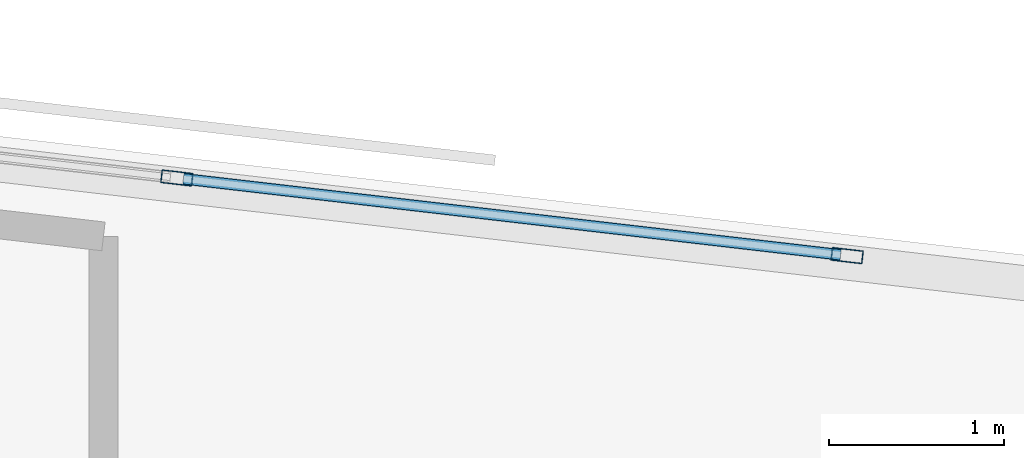
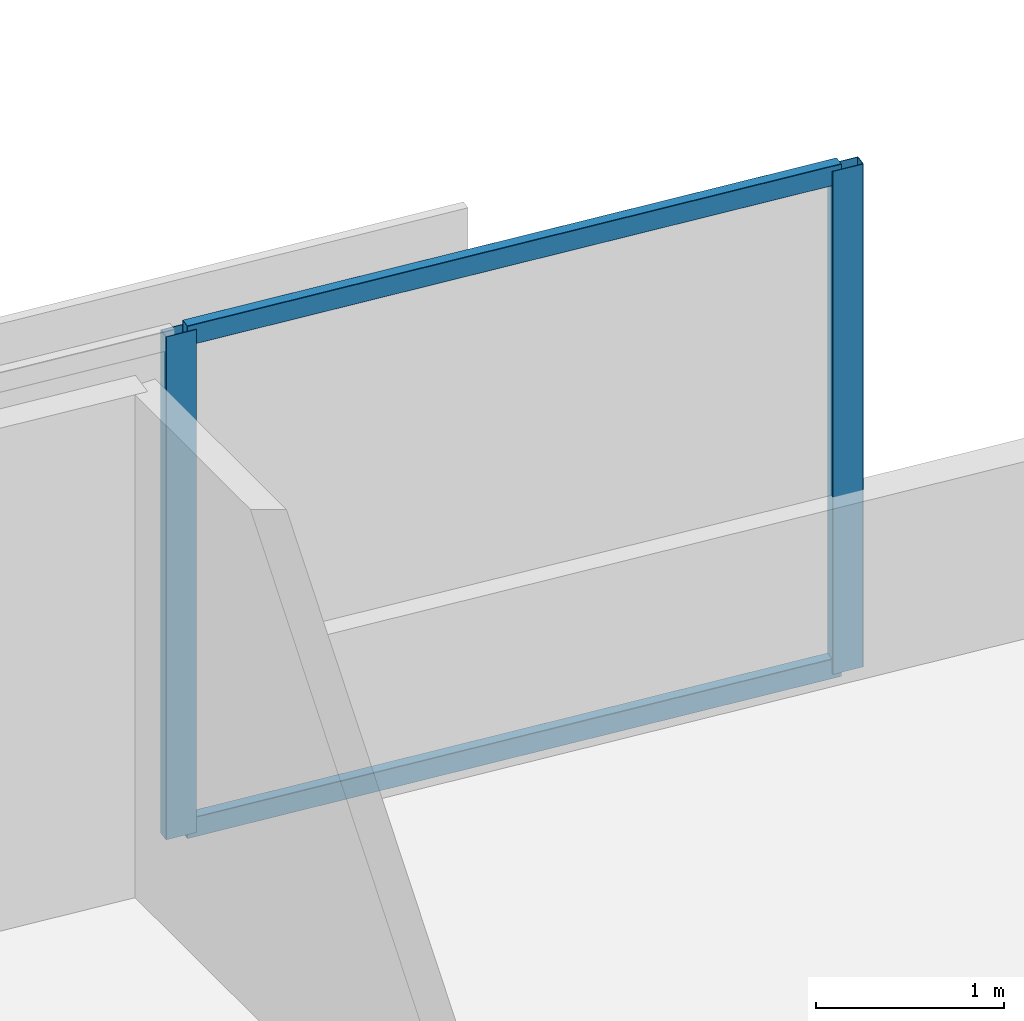
# One storey, part 2 of 14: 4 members, 1 element without a shape of its own.
"""IFC4 building model written with IfcOpenShell, lengths in metres."""

import ifcopenshell
import ifcopenshell.guid

model = None  # the IFC model being written
_history = None  # IfcOwnerHistory: only IFC2X3 demands one
_inside = {}  # id of a spatial element -> (the spatial element, [elements in it])
_under = {}  # id of a project, library or spatial element -> (it, [spatial elements below it])
_declared = {}  # id of a project -> (the project, [libraries it declares])
_typed = {}  # id of a type object -> (the type object, [elements of that type])
_made_of = {}  # id of a material, layer set ... -> (it, [elements and type objects made of it])


def new_model(schema):
    """Start an empty IFC model of exactly this schema.

    Asked for "IFC4X3", IfcOpenShell would pick the latest addendum, in which some entities
    have other attributes; the version numbers below select the first issue.
    IFC2X3 requires an IfcOwnerHistory on every rooted entity: one is made here for all.
    """
    global model, _history
    if schema == "IFC4X3":
        model = ifcopenshell.file(schema_version=(4, 3, 0, 0))
    else:
        model = ifcopenshell.file(schema=schema)
    _inside.clear()
    _under.clear()
    _declared.clear()
    _typed.clear()
    _made_of.clear()
    _history = None
    if model.schema == "IFC2X3":
        org = make("IfcOrganization", Name="unknown")
        user = make(
            "IfcPersonAndOrganization",
            ThePerson=make("IfcPerson", FamilyName="unknown"),
            TheOrganization=org,
        )
        app = make(
            "IfcApplication",
            ApplicationDeveloper=org,
            Version="unknown",
            ApplicationFullName="unknown",
            ApplicationIdentifier="unknown",
        )
        _history = make(
            "IfcOwnerHistory",
            OwningUser=user,
            OwningApplication=app,
            ChangeAction="ADDED",
            CreationDate=0,
        )
    return model


def make(cls, **values):
    """One entity of the class cls with the attributes given. An attribute that is None is left unset."""
    return model.create_entity(
        cls, **{name: value for name, value in values.items() if value is not None}
    )


def rooted(cls, **values):
    """An entity with a GlobalId (a new one), such as an element, a storey or a relation."""
    return make(cls, GlobalId=ifcopenshell.guid.new(), OwnerHistory=_history, **values)


def si_unit(unit_type, name, prefix=None):
    """IfcSIUnit, for example si_unit("LENGTHUNIT", "METRE", prefix="MILLI")."""
    return make("IfcSIUnit", UnitType=unit_type, Prefix=prefix, Name=name)


def assignment(units):
    """IfcUnitAssignment: the units of a project."""
    return None if units is None else make("IfcUnitAssignment", Units=units)


def point(xyz):
    """IfcCartesianPoint."""
    return None if xyz is None else make("IfcCartesianPoint", Coordinates=xyz)


def direction(xyz):
    """IfcDirection."""
    return None if xyz is None else make("IfcDirection", DirectionRatios=xyz)


def frame(location, z_axis=None, x_axis=None):
    """IfcAxis2Placement3D, a coordinate frame: its origin and axes. An axis left out is left unset."""
    return make(
        "IfcAxis2Placement3D",
        Location=point(location),
        Axis=direction(z_axis),
        RefDirection=direction(x_axis),
    )


def frame_2d(location, x_axis=None):
    """IfcAxis2Placement2D, a coordinate frame in the plane: its origin and x axis."""
    return make(
        "IfcAxis2Placement2D", Location=point(location), RefDirection=direction(x_axis)
    )


def origin():
    """The frame at (0, 0, 0) with its axes left unset."""
    return frame((0.0, 0.0, 0.0))


def origin_2d():
    """The frame at (0, 0) in the plane with its x axis left unset."""
    return frame_2d((0.0, 0.0))


def place(relative_to, where):
    """IfcLocalPlacement: puts the frame where relative to a parent placement (None: the world)."""
    return make(
        "IfcLocalPlacement", PlacementRelTo=relative_to, RelativePlacement=where
    )


def context(
    kind, dimensions, precision=None, world=None, true_north=None, identifier=None
):
    """IfcGeometricRepresentationContext, for example the 3D "Model" context."""
    return make(
        "IfcGeometricRepresentationContext",
        ContextIdentifier=identifier,
        ContextType=kind,
        CoordinateSpaceDimension=dimensions,
        Precision=precision,
        WorldCoordinateSystem=world,
        TrueNorth=true_north,
    )


def subcontext(parent, identifier, kind, view, scale=None):
    """IfcGeometricRepresentationSubContext, for example "Body" below "Model"."""
    return make(
        "IfcGeometricRepresentationSubContext",
        ContextIdentifier=identifier,
        ContextType=kind,
        ParentContext=parent,
        TargetScale=scale,
        TargetView=view,
    )


def project(units=None, contexts=None):
    """IfcProject with its units and contexts."""
    return rooted(
        "IfcProject",
        Name="project",
        RepresentationContexts=contexts,
        UnitsInContext=assignment(units),
    )


def spatial(cls, under=None, at=None, **own):
    """A site, building, storey or space (cls), placed at a placement, below another one or the project."""
    s = rooted(cls, ObjectPlacement=at, **own)
    if under is not None:
        _under.setdefault(under.id(), (under, []))[1].append(s)
    return s


def profile(cls, at=None, kind="AREA", **sizes):
    """A parametric profile (cls). Its sizes go by their IFC names, for example OverallWidth=200.0."""
    return make(cls, ProfileType=kind, Position=at, **sizes)


def hollow_rectangle(**sizes):
    """IfcRectangleHollowProfileDef."""
    return profile("IfcRectangleHollowProfileDef", **sizes)


def extrude(swept, where, along, depth):
    """IfcExtrudedAreaSolid: the profile swept, set in the frame where, extruded along a direction by depth."""
    return make(
        "IfcExtrudedAreaSolid",
        SweptArea=swept,
        Position=where,
        ExtrudedDirection=direction(along),
        Depth=depth,
    )


def shape(context_of_items, identifier, shape_type, items):
    """IfcShapeRepresentation: the items that make up one representation, for example the "Body"."""
    return make(
        "IfcShapeRepresentation",
        ContextOfItems=context_of_items,
        RepresentationIdentifier=identifier,
        RepresentationType=shape_type,
        Items=items,
    )


def material(Name=None, Category=None):
    """IfcMaterial."""
    return make("IfcMaterial", Name=Name, Category=Category)


def material_profile(
    of_material, cross_section, Name=None, Category=None, Priority=None
):
    """IfcMaterialProfile: a cross section and its material."""
    return make(
        "IfcMaterialProfile",
        Name=Name,
        Material=of_material,
        Profile=cross_section,
        Priority=Priority,
        Category=Category,
    )


def profile_set(profiles, Name=None, composite=None):
    """IfcMaterialProfileSet."""
    return make(
        "IfcMaterialProfileSet",
        Name=Name,
        MaterialProfiles=profiles,
        CompositeProfile=composite,
    )


def made_of(thing, what):
    """Note that an element or type object is made of a material, layer set ...; save() writes the relation."""
    if what is not None:
        _made_of.setdefault(what.id(), (what, []))[1].append(thing)
    return thing


def type_object(cls, material=None, **own):
    """A type object (cls), such as IfcWallType, which elements share."""
    return made_of(rooted(cls, **own), material)


def element(
    cls,
    number,
    at=None,
    inside=None,
    cuts=None,
    type_object=None,
    material=None,
    context=None,
    identifier="Body",
    shape_type=None,
    held_by="IfcProductDefinitionShape",
    body=None,
    shapes=None,
    **own,
):
    """One element of the class cls, such as IfcWall. Its Tag is "e" and its number.

    at: its placement. inside: the storey or other place that contains it. cuts: it is an
    opening in that element (IfcRelVoidsElement). A single representation is given by context,
    identifier, shape_type and body (its items); several are given by shapes. held_by: the class
    of the entity that holds the representations. save() writes the other relations.
    """
    e = rooted(cls, Tag="e%d" % number, ObjectPlacement=at, **own)
    if body is not None:
        shapes = [shape(context, identifier, shape_type, body)]
    if shapes is not None:
        e.Representation = make(held_by, Representations=shapes)
    if inside is not None:
        _inside.setdefault(inside.id(), (inside, []))[1].append(e)
    if cuts is not None:
        rooted(
            "IfcRelVoidsElement", RelatingBuildingElement=cuts, RelatedOpeningElement=e
        )
    if type_object is not None:
        _typed.setdefault(type_object.id(), (type_object, []))[1].append(e)
    return made_of(e, material)


def aggregate(whole, parts):
    """IfcRelAggregates: a whole, such as a stair, and the parts it consists of."""
    return rooted("IfcRelAggregates", RelatingObject=whole, RelatedObjects=parts)


def save(model, path):
    """Write the relations noted so far, then the file.

    IfcRelAggregates (storeys below a building ...), IfcRelContainedInSpatialStructure (elements
    in a storey), IfcRelDefinesByType, IfcRelAssociatesMaterial and IfcRelDeclares: one each for
    every whole, place, type object, material and project.
    """
    for whole, parts in _under.values():
        aggregate(whole, parts)
    for where, things in _inside.values():
        rooted(
            "IfcRelContainedInSpatialStructure",
            RelatedElements=things,
            RelatingStructure=where,
        )
    for kind, things in _typed.values():
        rooted("IfcRelDefinesByType", RelatedObjects=things, RelatingType=kind)
    for what, things in _made_of.values():
        rooted("IfcRelAssociatesMaterial", RelatedObjects=things, RelatingMaterial=what)
    for by, libraries in _declared.values():
        rooted("IfcRelDeclares", RelatingContext=by, RelatedDefinitions=libraries)
    model.write(path)


model = new_model("IFC4")

# Units and contexts
model_context = context("Model", 3, precision=1e-05, world=origin(), true_north=direction((0.0, 1.0)))
body_context = subcontext(model_context, "Body", "Model", "MODEL_VIEW")
ifc_project = project(units=[si_unit("LENGTHUNIT", "METRE"), si_unit("AREAUNIT", "SQUARE_METRE"), si_unit("VOLUMEUNIT", "CUBIC_METRE"), si_unit("PLANEANGLEUNIT", "RADIAN"), si_unit("MASSUNIT", "GRAM", prefix="KILO")], contexts=[model_context])

# Site, building, storey
site_placement = place(None, origin())
site = spatial("IfcSite", under=ifc_project, at=site_placement, CompositionType="ELEMENT")
building_placement = place(site_placement, origin())
building = spatial("IfcBuilding", under=site, at=building_placement, Name="Narakoshi Arena Tower", CompositionType="ELEMENT")
storey_placement = place(building_placement, frame((0.0, 0.0, 214.97998046875)))
storey = spatial("IfcBuildingStorey", under=building, at=storey_placement, Name="L58", CompositionType="ELEMENT", Elevation=214.97998046875)

# Curtain wall, members
ifc_material = material(Name="Anodised bronze aluminium 6063-T6", Category="aluminium")
curtain_wall_type = type_object("IfcCurtainWallType", Name="CW-HYP-MID", PredefinedType="NOTDEFINED", material=ifc_material)
curtain_wall_placement = place(storey_placement, origin())
curtain_wall = element("IfcCurtainWall", 1, at=curtain_wall_placement, inside=storey, type_object=curtain_wall_type, Name="L58 Folded Hypotenuse Curtain Wall 2-1", PredefinedType="NOTDEFINED")
ifc_material_profile_1 = material_profile(ifc_material, hollow_rectangle(XDim=0.074951171875, YDim=0.179931640625, WallThickness=0.00390625, OuterFilletRadius=0.0048828125, at=origin_2d()), Name="MUL180x75x4")
ifc_profile_set_1 = profile_set([ifc_material_profile_1], Name="Anodised bronze aluminium 6063-T6")
member_type_1 = type_object("IfcMemberType", Name="MEM-MUL-180", PredefinedType="MULLION", material=ifc_profile_set_1)
member_1_placement = place(storey_placement, frame((83.901611328125, 63.554931640625, 0.0), z_axis=(0.0, 0.0, 1.0), x_axis=(-0.115011296816, -0.993364183774, 0.0)))
member_1 = element("IfcMember", 2, at=member_1_placement, type_object=member_type_1, Name="CW-02 mullion 1", PredefinedType="MULLION", context=body_context, shape_type="SweptSolid", body=[
    extrude(hollow_rectangle(XDim=0.074951171875, YDim=0.179931640625, WallThickness=0.00390625, OuterFilletRadius=0.0048828125, at=origin_2d()), origin(), (0.0, 0.0, 1.0), 3.260009765625),
])
member_2_placement = place(storey_placement, frame((80.06982421875, 63.99853515625, 0.0), z_axis=(0.0, 0.0, 1.0), x_axis=(-0.115011296816, -0.993364183774, 0.0)))
member_2 = element("IfcMember", 3, at=member_2_placement, type_object=member_type_1, Name="CW-02 mullion 2", PredefinedType="MULLION", context=body_context, shape_type="SweptSolid", body=[
    extrude(hollow_rectangle(XDim=0.074951171875, YDim=0.179931640625, WallThickness=0.00390625, OuterFilletRadius=0.0048828125, at=origin_2d()), origin(), (0.0, 0.0, 1.0), 3.260009765625),
])
ifc_material_profile_2 = material_profile(ifc_material, hollow_rectangle(XDim=0.06494140625, YDim=0.1298828125, WallThickness=0.00390625, OuterFilletRadius=0.0048828125, at=origin_2d()), Name="TRN130x65x4")
ifc_profile_set_2 = profile_set([ifc_material_profile_2], Name="Anodised bronze aluminium 6063-T6")
member_type_2 = type_object("IfcMemberType", Name="MEM-TRN-130", PredefinedType="USERDEFINED", material=ifc_profile_set_2)
member_3_placement = place(storey_placement, frame((83.864501953125, 63.55908203125, 0.032470703125), z_axis=(-0.993363915753, 0.115013611713, 0.0), x_axis=(-0.115013611713, -0.993363915753, 0.0)))
member_3 = element("IfcMember", 4, at=member_3_placement, type_object=member_type_2, Name="CW-02 transom 1.1", ObjectType="TRANSOM", PredefinedType="USERDEFINED", context=body_context, shape_type="SweptSolid", body=[
    extrude(hollow_rectangle(XDim=0.06494140625, YDim=0.1298828125, WallThickness=0.00390625, OuterFilletRadius=0.0048828125, at=origin_2d()), origin(), (0.0, 0.0, 1.0), 3.78271484375),
])
member_4_placement = place(storey_placement, frame((83.864501953125, 63.55908203125, 3.2275390625), z_axis=(-0.993363915753, 0.115013611713, 0.0), x_axis=(-0.115013611713, -0.993363915753, 0.0)))
member_4 = element("IfcMember", 5, at=member_4_placement, type_object=member_type_2, Name="CW-02 transom 1.2", ObjectType="TRANSOM", PredefinedType="USERDEFINED", context=body_context, shape_type="SweptSolid", body=[
    extrude(hollow_rectangle(XDim=0.06494140625, YDim=0.1298828125, WallThickness=0.00390625, OuterFilletRadius=0.0048828125, at=origin_2d()), origin(), (0.0, 0.0, 1.0), 3.78271484375),
])
aggregate(curtain_wall, [member_1, member_2, member_3, member_4])

save(model, "model.ifc")
